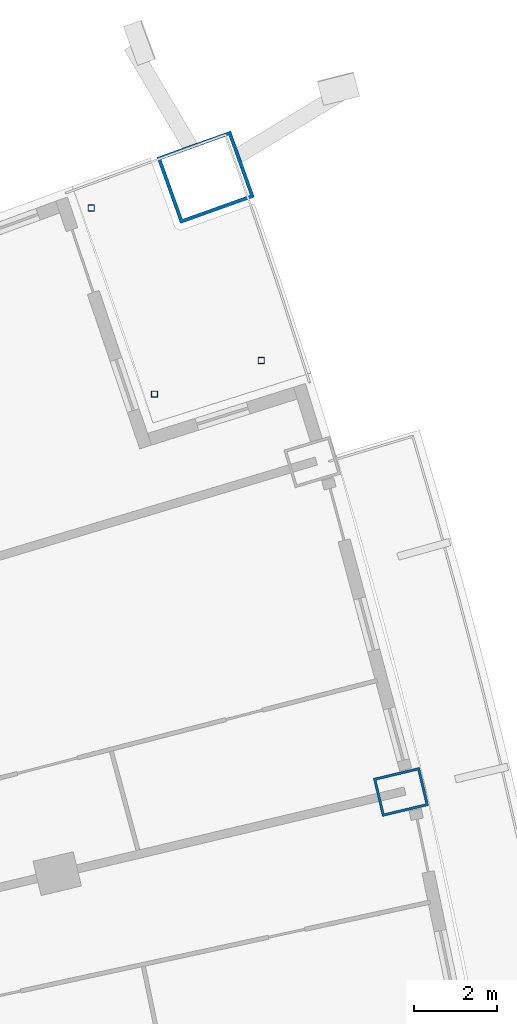
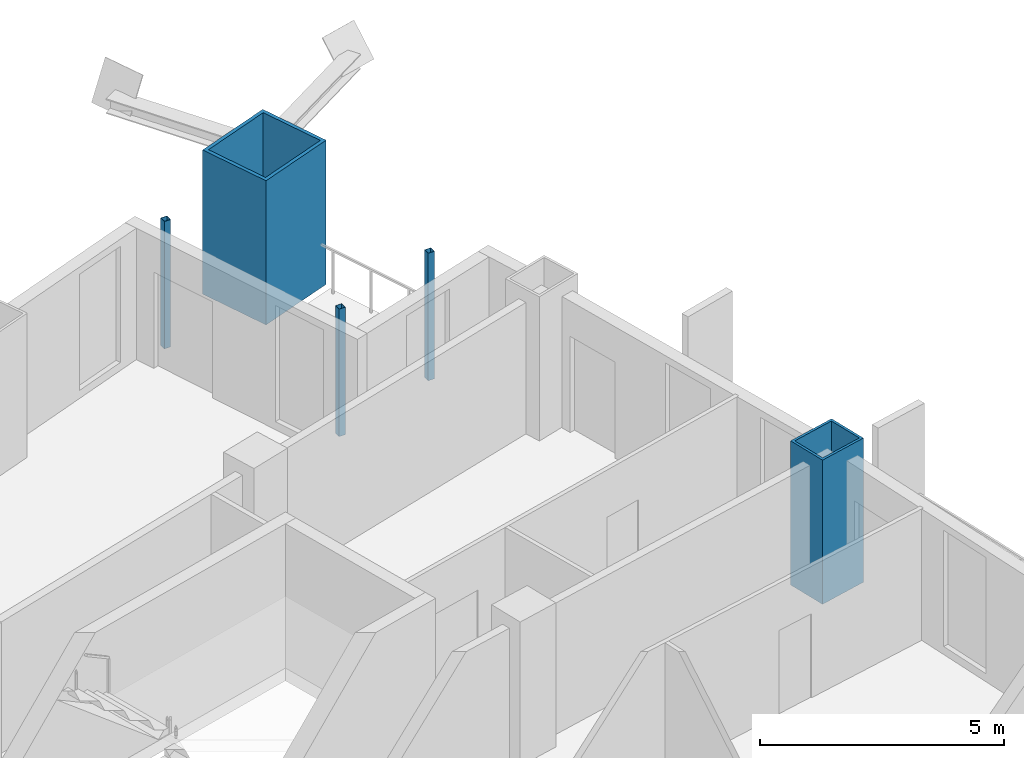
# One storey, part 8 of 23: 5 columns.
"""IFC4 building model written with IfcOpenShell, lengths in metres."""

from ifc_helpers import new_model, si_unit, direction, frame, origin, origin_2d, place, context, subcontext, project, spatial, hollow_rectangle, extrude, material, material_profile, profile_set, type_object, element, save


model = new_model("IFC4")

# Units and contexts
model_context = context("Model", 3, precision=1e-05, world=origin(), true_north=direction((0.0, 1.0)))
body_context = subcontext(model_context, "Body", "Model", "MODEL_VIEW")
ifc_project = project(units=[si_unit("LENGTHUNIT", "METRE"), si_unit("AREAUNIT", "SQUARE_METRE"), si_unit("VOLUMEUNIT", "CUBIC_METRE"), si_unit("PLANEANGLEUNIT", "RADIAN"), si_unit("MASSUNIT", "GRAM", prefix="KILO")], contexts=[model_context])

# Site, building, storey
site_placement = place(None, origin())
site = spatial("IfcSite", under=ifc_project, at=site_placement, CompositionType="ELEMENT")
building_placement = place(site_placement, origin())
building = spatial("IfcBuilding", under=site, at=building_placement, Name="Alderwake Tower", CompositionType="ELEMENT")
storey_placement = place(building_placement, frame((0.0, 0.0, 100.39990234375)))
storey = spatial("IfcBuildingStorey", under=building, at=storey_placement, Name="L24", CompositionType="ELEMENT", Elevation=100.39990234375)

# Columns
ifc_material_1 = material(Name="Steel ASTM A500 Grade C", Category="steel")
ifc_material_profile_1 = material_profile(ifc_material_1, hollow_rectangle(XDim=0.15234375, YDim=0.15234375, WallThickness=0.0087890625, at=origin_2d()), Name="HSS6X6X3/8")
ifc_profile_set_1 = profile_set([ifc_material_profile_1], Name="Steel ASTM A500 Grade C")
column_type_1 = type_object("IfcColumnType", Name="Light post HSS6X6X3/8", PredefinedType="COLUMN", material=ifc_profile_set_1)
for number, where, z_axis, x_axis, name in (
    (1, (54.1943359375, 104.113525390625, 0.0), (0.0, 0.0, 1.0), (1.0, 0.0, 0.0), "Terrace post FN1"),
    (2, (50.089599609375, 107.79443359375, 0.0), (0.0, 0.0, 1.0), (1.0, 0.0, 0.0), "Terrace post FN2"),
    (3, (51.619873046875, 103.299560546875, 0.0), (0.0, 0.0, 1.0), (1.0, 0.0, 0.0), "Terrace post FN3"),
):
    element("IfcColumn", number, at=place(storey_placement, frame(where, z_axis=z_axis, x_axis=x_axis)), inside=storey, type_object=column_type_1, Name=name, PredefinedType="COLUMN", context=body_context, shape_type="SweptSolid", body=[
        extrude(hollow_rectangle(XDim=0.15234375, YDim=0.15234375, WallThickness=0.0087890625, at=origin_2d()), origin(), (0.0, 0.0, 1.0), 3.18017578125),
    ])
ifc_material_2 = material(Name="Steel ASTM A572 Grade 50 concrete filled C70/85", Category="concrete")
ifc_material_profile_2 = material_profile(ifc_material_2, hollow_rectangle(XDim=1.699951171875, YDim=1.89990234375, WallThickness=0.0849609375, at=origin_2d()), Name="BOX 1900X1700X85")
ifc_profile_set_2 = profile_set([ifc_material_profile_2], Name="Steel ASTM A572 Grade 50 concrete filled C70/85")
column_type_2 = type_object("IfcColumnType", Name="Mega column Z2", PredefinedType="COLUMN", material=ifc_profile_set_2)
column_1_placement = place(storey_placement, frame((52.850830078125, 108.538330078125, 0.0), z_axis=(0.0, 0.0, 1.0), x_axis=(-0.336911216263, 0.941536421152, 0.0)))
element("IfcColumn", 4, at=column_1_placement, inside=storey, type_object=column_type_2, Name="Column R13-C5", PredefinedType="COLUMN", context=body_context, shape_type="SweptSolid", body=[
    extrude(hollow_rectangle(XDim=1.699951171875, YDim=1.89990234375, WallThickness=0.0849609375, at=origin_2d()), origin(), (0.0, 0.0, 1.0), 3.60009765625),
])
ifc_material_3 = material(Name="Steel ASTM A572 Grade 50 concrete filled C70/85", Category="concrete")
ifc_material_profile_3 = material_profile(ifc_material_3, hollow_rectangle(XDim=0.949951171875, YDim=1.14990234375, WallThickness=0.06005859375, at=origin_2d()), Name="BOX 1150X950X60")
ifc_profile_set_3 = profile_set([ifc_material_profile_3], Name="Steel ASTM A572 Grade 50 concrete filled C70/85")
column_type_3 = type_object("IfcColumnType", Name="Perimeter column Z2", PredefinedType="COLUMN", material=ifc_profile_set_3)
column_2_placement = place(storey_placement, frame((57.568115234375, 93.69482421875, 0.0), z_axis=(0.0, 0.0, 1.0), x_axis=(-0.231221547198, 0.972901123502, 0.0)))
element("IfcColumn", 5, at=column_2_placement, inside=storey, type_object=column_type_3, Name="Column R11-C5", PredefinedType="COLUMN", context=body_context, shape_type="SweptSolid", body=[
    extrude(hollow_rectangle(XDim=0.949951171875, YDim=1.14990234375, WallThickness=0.06005859375, at=origin_2d()), origin(), (0.0, 0.0, 1.0), 3.60009765625),
])

save(model, "model.ifc")
